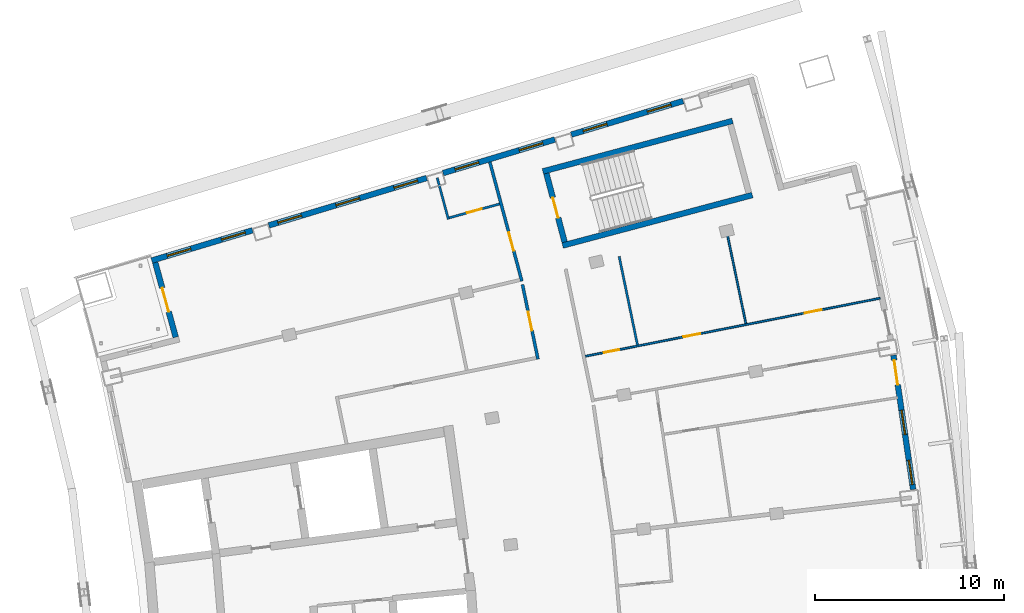
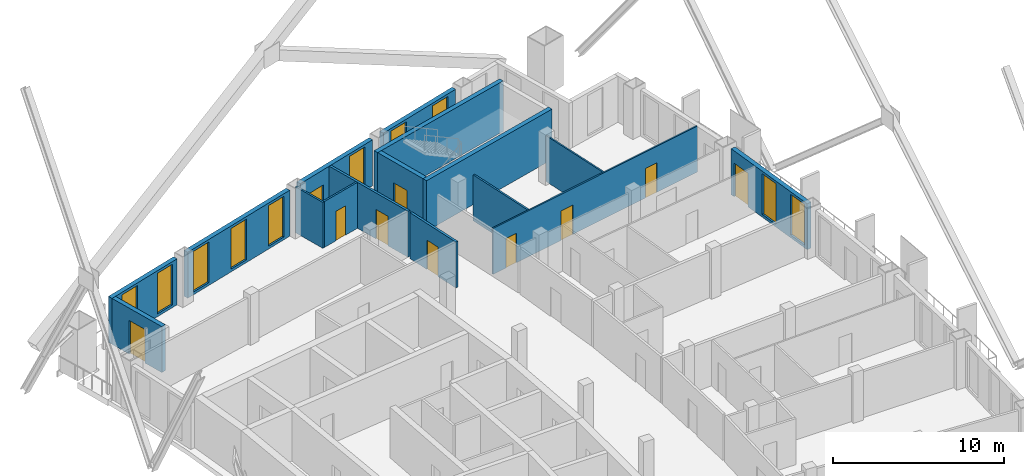
# One storey, part 13 of 16: 16 walls, 11 windows, 9 doors, 20 openings.
"""IFC4 building model written with IfcOpenShell, lengths in metres."""

from ifc_helpers import new_model, si_unit, direction, frame, frame_2d, origin, place, context, subcontext, project, spatial, rectangle, extrude, material, layer, layer_set, type_object, element, fill, save


model = new_model("IFC4")

# Units and contexts
model_context = context("Model", 3, precision=1e-05, world=origin(), true_north=direction((0.0, 1.0)))
body_context = subcontext(model_context, "Body", "Model", "MODEL_VIEW")
ifc_project = project(units=[si_unit("LENGTHUNIT", "METRE"), si_unit("AREAUNIT", "SQUARE_METRE"), si_unit("VOLUMEUNIT", "CUBIC_METRE"), si_unit("PLANEANGLEUNIT", "RADIAN"), si_unit("MASSUNIT", "GRAM", prefix="KILO")], contexts=[model_context])

# Site, building, storey
site_placement = place(None, origin())
site = spatial("IfcSite", under=ifc_project, at=site_placement, CompositionType="ELEMENT")
building_placement = place(site_placement, origin())
building = spatial("IfcBuilding", under=site, at=building_placement, Name="Alderwake Tower", CompositionType="ELEMENT")
storey_placement = place(building_placement, frame((0.0, 0.0, 245.60009765625)))
storey = spatial("IfcBuildingStorey", under=building, at=storey_placement, Name="L60", CompositionType="ELEMENT", Elevation=245.60009765625)

# Walls
ifc_material_1 = material(Name="Concrete C70/85", Category="concrete")
ifc_layer_1 = layer(ifc_material_1, 0.300048828125)
ifc_layer_set_1 = layer_set([ifc_layer_1], Name="Core wall stair enclosure 300 C70-85")
wall_type_1 = type_object("IfcWallType", Name="Core wall stair enclosure 300 C70-85", PredefinedType="SHEAR", material=ifc_layer_set_1)
for number, where, z_axis, x_axis, name in (
    (1, (36.71142578125, 94.182373046875, 0.0), (0.0, 0.0, 1.0), (0.966309214305, 0.257383958996, 0.0), "Core wall CW.082"),
    (2, (37.75390625, 90.268798828125, 0.0), (0.0, 0.0, 1.0), (0.966309214305, 0.257383958996, 0.0), "Core wall CW.084"),
):
    element("IfcWall", number, at=place(storey_placement, frame(where, z_axis=z_axis, x_axis=x_axis)), inside=storey, type_object=wall_type_1, Name=name, PredefinedType="SHEAR", context=body_context, shape_type="SweptSolid", body=[
        extrude(rectangle(XDim=10.360107421875, YDim=0.300048828125, at=frame_2d((5.18017578125, 0.0))), origin(), (0.0, 0.0, 1.0), 3.599853515625),
    ])

# Wall, opening, door
wall_1_placement = place(storey_placement, frame((37.8603515625, 90.452392578125, 0.0), z_axis=(0.0, 0.0, 1.0), x_axis=(-0.257411420208, 0.966301899381, 0.0)))
wall_1 = element("IfcWall", 3, at=wall_1_placement, inside=storey, type_object=wall_type_1, Name="Core wall CW.083", PredefinedType="SHEAR", context=body_context, shape_type="SweptSolid", body=[
    extrude(rectangle(XDim=3.750244140625, YDim=0.300048828125, at=frame_2d((1.875, 0.0))), origin(), (0.0, 0.0, 1.0), 3.599853515625),
])
opening_1_placement = place(wall_1_placement, frame((1.324951171875, 0.0, 0.0)))
opening_1 = element("IfcOpeningElement", 4, at=opening_1_placement, cuts=wall_1, Name="Opening C062", PredefinedType="OPENING", context=body_context, shape_type="SweptSolid", body=[
    extrude(rectangle(XDim=1.10009765625, YDim=2.10009765625, at=frame_2d((0.550048828125, 1.050048828125))), frame((0.0, 0.159912109375, 0.0), z_axis=(0.0, -1.0, 0.0), x_axis=(1.0, 0.0, 0.0)), (0.0, 0.0, 1.0), 0.320068359375),
])
ifc_material_2 = material(Name="Steel-framed fire door leaf", Category="steel")
door_type_1 = type_object("IfcDoorType", Name="Core stair door 1100 fire-rated", OperationType="SINGLE_SWING_LEFT", PredefinedType="DOOR", material=ifc_material_2)
door_1_placement = place(opening_1_placement, origin())
door_1 = element("IfcDoor", 5, at=door_1_placement, inside=storey, type_object=door_type_1, Name="Stair door", OperationType="SINGLE_SWING_RIGHT", OverallHeight=2.10009765625, OverallWidth=1.10009765625, PredefinedType="DOOR", context=body_context, shape_type="SweptSolid", body=[
    extrude(rectangle(XDim=1.10009765625, YDim=2.10009765625, at=frame_2d((0.550048828125, 1.050048828125))), frame((0.0, 0.02490234375, 0.0), z_axis=(0.0, -1.0, 0.0), x_axis=(1.0, 0.0, 0.0)), (0.0, 0.0, 1.0), 0.050048828125),
])
fill(opening_1, door_1)

ifc_material_3 = material(Name="Gypsum board on metal studs, rated")
ifc_layer_2 = layer(ifc_material_3, 0.159912109375)
ifc_layer_set_2 = layer_set([ifc_layer_2], Name="Corridor wall 160")
wall_type_2 = type_object("IfcWallType", Name="Corridor wall 160", PredefinedType="PARTITIONING", material=ifc_layer_set_2)
wall_2_placement = place(storey_placement, frame((35.600830078125, 88.392578125, 0.0), z_axis=(0.0, 0.0, 1.0), x_axis=(-0.259509260101, 0.965740619381, 0.0)))
wall_2 = element("IfcWall", 6, at=wall_2_placement, inside=storey, type_object=wall_type_2, Name="WL/L60/W12", PredefinedType="PARTITIONING", context=body_context, shape_type="SweptSolid", body=[
    extrude(rectangle(XDim=6.50732421875, YDim=0.159912109375, at=frame_2d((3.253662109375, 0.0))), origin(), (0.0, 0.0, 1.0), 3.27978515625),
])
opening_2_placement = place(wall_2_placement, frame((1.65771484375, 0.0, 0.0)))
opening_2 = element("IfcOpeningElement", 7, at=opening_2_placement, cuts=wall_2, Name="Opening R17-U09.1", PredefinedType="OPENING", context=body_context, shape_type="SweptSolid", body=[
    extrude(rectangle(XDim=1.0, YDim=2.10009765625, at=frame_2d((0.5, 1.050048828125))), frame((0.0, 0.08984375, 0.0), z_axis=(0.0, -1.0, 0.0), x_axis=(1.0, 0.0, 0.0)), (0.0, 0.0, 1.0), 0.179931640625),
])
ifc_material_4 = material(Name="Solid timber leaf in steel frame", Category="steel")
door_type_2 = type_object("IfcDoorType", Name="Flat entrance door 1000 fire-rated", OperationType="SINGLE_SWING_LEFT", PredefinedType="DOOR", material=ifc_material_4)
door_2_placement = place(opening_2_placement, origin())
door_2 = element("IfcDoor", 8, at=door_2_placement, inside=storey, type_object=door_type_2, Name="DR/L60/U09.1", OperationType="SINGLE_SWING_LEFT", OverallHeight=2.10009765625, OverallWidth=1.0, PredefinedType="DOOR", context=body_context, shape_type="SweptSolid", body=[
    extrude(rectangle(XDim=1.0, YDim=2.10009765625, at=frame_2d((0.5, 1.050048828125))), frame((0.0, 0.02490234375, 0.0), z_axis=(0.0, -1.0, 0.0), x_axis=(1.0, 0.0, 0.0)), (0.0, 0.0, 1.0), 0.050048828125),
])
fill(opening_2, door_2)

wall_3_placement = place(storey_placement, frame((36.451416015625, 84.272705078125, 0.0), z_axis=(0.0, 0.0, 1.0), x_axis=(-0.203258199701, 0.979125172924, 0.0)))
wall_3 = element("IfcWall", 9, at=wall_3_placement, inside=storey, type_object=wall_type_2, Name="WL/L60/W15", PredefinedType="PARTITIONING", context=body_context, shape_type="SweptSolid", body=[
    extrude(rectangle(XDim=4.020263671875, YDim=0.159912109375, at=frame_2d((2.01025390625, 0.0))), origin(), (0.0, 0.0, 1.0), 3.27978515625),
])
opening_3_placement = place(wall_3_placement, frame((1.549560546875, 0.0, 0.0)))
opening_3 = element("IfcOpeningElement", 10, at=opening_3_placement, cuts=wall_3, Name="Opening R17-SBN2", PredefinedType="OPENING", context=body_context, shape_type="SweptSolid", body=[
    extrude(rectangle(XDim=1.0, YDim=2.10009765625, at=frame_2d((0.5, 1.050048828125))), frame((0.0, 0.08984375, 0.0), z_axis=(0.0, -1.0, 0.0), x_axis=(1.0, 0.0, 0.0)), (0.0, 0.0, 1.0), 0.179931640625),
])
ifc_material_5 = material(Name="Steel-framed fire door leaf", Category="steel")
door_type_3 = type_object("IfcDoorType", Name="Plant room door 1000 fire-rated", OperationType="SINGLE_SWING_LEFT", PredefinedType="DOOR", material=ifc_material_5)
door_3_placement = place(opening_3_placement, origin())
door_3 = element("IfcDoor", 11, at=door_3_placement, inside=storey, type_object=door_type_3, Name="DR/L60/SBN2", OperationType="SINGLE_SWING_LEFT", OverallHeight=2.10009765625, OverallWidth=1.0, PredefinedType="DOOR", context=body_context, shape_type="SweptSolid", body=[
    extrude(rectangle(XDim=1.0, YDim=2.10009765625, at=frame_2d((0.5, 1.050048828125))), frame((0.0, 0.02490234375, 0.0), z_axis=(0.0, -1.0, 0.0), x_axis=(1.0, 0.0, 0.0)), (0.0, 0.0, 1.0), 0.050048828125),
])
fill(opening_3, door_3)

# Wall, openings, door, windows
ifc_material_6 = material(Name="Precast concrete C50/60 spandrel panel", Category="concrete")
ifc_layer_3 = layer(ifc_material_6, 0.300048828125)
ifc_layer_set_3 = layer_set([ifc_layer_3], Name="External wall EW1 Precast concrete C50/60 spandrel")
wall_type_3 = type_object("IfcWallType", Name="External wall EW1 Precast concrete C50/60 spandrel", PredefinedType="SOLIDWALL", material=ifc_layer_set_3)
wall_4_placement = place(storey_placement, frame((56.255615234375, 77.393310546875, 0.0), z_axis=(0.0, 0.0, 1.0), x_axis=(-0.145324203969, 0.989384089088, 0.0)))
wall_4 = element("IfcWall", 12, at=wall_4_placement, inside=storey, type_object=wall_type_3, Name="External wall 18", PredefinedType="SOLIDWALL", context=body_context, shape_type="SweptSolid", body=[
    extrude(rectangle(XDim=7.16162109375, YDim=0.300048828125, at=frame_2d((3.580810546875, 0.0))), origin(), (0.0, 0.0, 1.0), 3.27978515625),
])
opening_4_placement = place(wall_4_placement, frame((0.267333984375, 0.0, 0.199951171875)))
opening_4 = element("IfcOpeningElement", 13, at=opening_4_placement, cuts=wall_4, Name="Opening W1", PredefinedType="OPENING", context=body_context, shape_type="SweptSolid", body=[
    extrude(rectangle(XDim=1.300048828125, YDim=2.89990234375, at=frame_2d((0.64990234375, 1.449951171875))), frame((0.0, 0.159912109375, 0.0), z_axis=(0.0, -1.0, 0.0), x_axis=(1.0, 0.0, 0.0)), (0.0, 0.0, 1.0), 0.320068359375),
])
opening_5_placement = place(wall_4_placement, frame((2.930908203125, 0.0, 0.199951171875)))
opening_5 = element("IfcOpeningElement", 14, at=opening_5_placement, cuts=wall_4, Name="Opening W1", PredefinedType="OPENING", context=body_context, shape_type="SweptSolid", body=[
    extrude(rectangle(XDim=1.300048828125, YDim=2.89990234375, at=frame_2d((0.64990234375, 1.449951171875))), frame((0.0, 0.159912109375, 0.0), z_axis=(0.0, -1.0, 0.0), x_axis=(1.0, 0.0, 0.0)), (0.0, 0.0, 1.0), 0.320068359375),
])
opening_6_placement = place(wall_4_placement, frame((5.594482421875, 0.0, 0.0)))
opening_6 = element("IfcOpeningElement", 15, at=opening_6_placement, cuts=wall_4, Name="Opening D07", PredefinedType="OPENING", context=body_context, shape_type="SweptSolid", body=[
    extrude(rectangle(XDim=1.300048828125, YDim=2.39990234375, at=frame_2d((0.64990234375, 1.199951171875))), frame((0.0, 0.159912109375, 0.0), z_axis=(0.0, -1.0, 0.0), x_axis=(1.0, 0.0, 0.0)), (0.0, 0.0, 1.0), 0.320068359375),
])
ifc_material_7 = material(Name="Bronze tinted glass in aluminium frame", Category="aluminium")
door_type_4 = type_object("IfcDoorType", Name="Balcony door BD sliding", OperationType="SLIDING_TO_LEFT", PredefinedType="DOOR", material=ifc_material_7)
door_4_placement = place(opening_6_placement, origin())
door_4 = element("IfcDoor", 16, at=door_4_placement, inside=storey, type_object=door_type_4, Name="Door D07", OperationType="SLIDING_TO_LEFT", OverallHeight=2.39990234375, OverallWidth=1.300048828125, PredefinedType="DOOR", context=body_context, shape_type="SweptSolid", body=[
    extrude(rectangle(XDim=1.300048828125, YDim=2.39990234375, at=frame_2d((0.64990234375, 1.199951171875))), frame((0.0, 0.02490234375, 0.0), z_axis=(0.0, -1.0, 0.0), x_axis=(1.0, 0.0, 0.0)), (0.0, 0.0, 1.0), 0.050048828125),
])
fill(opening_6, door_4)
ifc_material_8 = material(Name="Bronze tinted glass in aluminium frame", Category="aluminium")
window_type_1 = type_object("IfcWindowType", Name="Window W1 tall fixed and vent", PartitioningType="DOUBLE_PANEL_VERTICAL", PredefinedType="WINDOW", material=ifc_material_8)
window_1_placement = place(opening_4_placement, origin())
window_1 = element("IfcWindow", 17, at=window_1_placement, inside=storey, type_object=window_type_1, Name="Window W1 tall fixed and vent", OverallHeight=2.89990234375, OverallWidth=1.300048828125, PartitioningType="DOUBLE_PANEL_VERTICAL", PredefinedType="WINDOW", context=body_context, shape_type="SweptSolid", body=[
    extrude(rectangle(XDim=1.300048828125, YDim=2.89990234375, at=frame_2d((0.64990234375, 1.449951171875))), frame((0.0, 0.030029296875, 0.0), z_axis=(0.0, -1.0, 0.0), x_axis=(1.0, 0.0, 0.0)), (0.0, 0.0, 1.0), 0.06005859375),
])
fill(opening_4, window_1)
window_2_placement = place(opening_5_placement, origin())
window_2 = element("IfcWindow", 18, at=window_2_placement, inside=storey, type_object=window_type_1, Name="Window W1 tall fixed and vent", OverallHeight=2.89990234375, OverallWidth=1.300048828125, PartitioningType="DOUBLE_PANEL_VERTICAL", PredefinedType="WINDOW", context=body_context, shape_type="SweptSolid", body=[
    extrude(rectangle(XDim=1.300048828125, YDim=2.89990234375, at=frame_2d((0.64990234375, 1.449951171875))), frame((0.0, 0.030029296875, 0.0), z_axis=(0.0, -1.0, 0.0), x_axis=(1.0, 0.0, 0.0)), (0.0, 0.0, 1.0), 0.06005859375),
])
fill(opening_5, window_2)

# Wall, openings, windows
ifc_material_9 = material(Name="Bronze metal cladding on lightweight framing")
ifc_layer_4 = layer(ifc_material_9, 0.300048828125)
ifc_layer_set_4 = layer_set([ifc_layer_4], Name="External wall EW2 bronze metal cladding")
wall_type_4 = type_object("IfcWallType", Name="External wall EW2 bronze metal cladding", PredefinedType="SOLIDWALL", material=ifc_layer_set_4)
wall_5_placement = place(storey_placement, frame((44.112548828125, 97.896728515625, 0.0), z_axis=(0.0, 0.0, 1.0), x_axis=(-0.957768483821, -0.28754048654, 0.0)))
wall_5 = element("IfcWall", 19, at=wall_5_placement, inside=storey, type_object=wall_type_4, Name="External wall 24", PredefinedType="SOLIDWALL", context=body_context, shape_type="SweptSolid", body=[
    extrude(rectangle(XDim=6.163330078125, YDim=0.300048828125, at=frame_2d((3.08154296875, 0.0))), origin(), (0.0, 0.0, 1.0), 3.27978515625),
])
opening_7_placement = place(wall_5_placement, frame((0.6650390625, 0.0, 0.199951171875)))
opening_7 = element("IfcOpeningElement", 20, at=opening_7_placement, cuts=wall_5, Name="Opening W1", PredefinedType="OPENING", context=body_context, shape_type="SweptSolid", body=[
    extrude(rectangle(XDim=1.300048828125, YDim=2.89990234375, at=frame_2d((0.64990234375, 1.449951171875))), frame((0.0, 0.159912109375, 0.0), z_axis=(0.0, -1.0, 0.0), x_axis=(1.0, 0.0, 0.0)), (0.0, 0.0, 1.0), 0.320068359375),
])
opening_8_placement = place(wall_5_placement, frame((4.198486328125, 0.0, 0.199951171875)))
opening_8 = element("IfcOpeningElement", 21, at=opening_8_placement, cuts=wall_5, Name="Opening W1", PredefinedType="OPENING", context=body_context, shape_type="SweptSolid", body=[
    extrude(rectangle(XDim=1.300048828125, YDim=2.89990234375, at=frame_2d((0.64990234375, 1.449951171875))), frame((0.0, 0.159912109375, 0.0), z_axis=(0.0, -1.0, 0.0), x_axis=(1.0, 0.0, 0.0)), (0.0, 0.0, 1.0), 0.320068359375),
])
window_3_placement = place(opening_7_placement, origin())
window_3 = element("IfcWindow", 22, at=window_3_placement, inside=storey, type_object=window_type_1, Name="Window W1 tall fixed and vent", OverallHeight=2.89990234375, OverallWidth=1.300048828125, PartitioningType="DOUBLE_PANEL_VERTICAL", PredefinedType="WINDOW", context=body_context, shape_type="SweptSolid", body=[
    extrude(rectangle(XDim=1.300048828125, YDim=2.89990234375, at=frame_2d((0.64990234375, 1.449951171875))), frame((0.0, 0.030029296875, 0.0), z_axis=(0.0, -1.0, 0.0), x_axis=(1.0, 0.0, 0.0)), (0.0, 0.0, 1.0), 0.06005859375),
])
fill(opening_7, window_3)
window_4_placement = place(opening_8_placement, origin())
window_4 = element("IfcWindow", 23, at=window_4_placement, inside=storey, type_object=window_type_1, Name="Window W1 tall fixed and vent", OverallHeight=2.89990234375, OverallWidth=1.300048828125, PartitioningType="DOUBLE_PANEL_VERTICAL", PredefinedType="WINDOW", context=body_context, shape_type="SweptSolid", body=[
    extrude(rectangle(XDim=1.300048828125, YDim=2.89990234375, at=frame_2d((0.64990234375, 1.449951171875))), frame((0.0, 0.030029296875, 0.0), z_axis=(0.0, -1.0, 0.0), x_axis=(1.0, 0.0, 0.0)), (0.0, 0.0, 1.0), 0.06005859375),
])
fill(opening_8, window_4)

wall_6_placement = place(storey_placement, frame((37.34423828125, 95.86474609375, 0.0), z_axis=(0.0, 0.0, 1.0), x_axis=(-0.957757574336, -0.287576822436, 0.0)))
wall_6 = element("IfcWall", 24, at=wall_6_placement, inside=storey, type_object=wall_type_4, Name="External wall 25", PredefinedType="SOLIDWALL", context=body_context, shape_type="SweptSolid", body=[
    extrude(rectangle(XDim=6.163330078125, YDim=0.300048828125, at=frame_2d((3.08154296875, 0.0))), origin(), (0.0, 0.0, 1.0), 3.27978515625),
])
opening_9_placement = place(wall_6_placement, frame((0.6650390625, 0.0, 0.199951171875)))
opening_9 = element("IfcOpeningElement", 25, at=opening_9_placement, cuts=wall_6, Name="Opening W1", PredefinedType="OPENING", context=body_context, shape_type="SweptSolid", body=[
    extrude(rectangle(XDim=1.300048828125, YDim=2.89990234375, at=frame_2d((0.64990234375, 1.449951171875))), frame((0.0, 0.159912109375, 0.0), z_axis=(0.0, -1.0, 0.0), x_axis=(1.0, 0.0, 0.0)), (0.0, 0.0, 1.0), 0.320068359375),
])
opening_10_placement = place(wall_6_placement, frame((4.198486328125, 0.0, 1.0)))
opening_10 = element("IfcOpeningElement", 26, at=opening_10_placement, cuts=wall_6, Name="Opening W2", PredefinedType="OPENING", context=body_context, shape_type="SweptSolid", body=[
    extrude(rectangle(XDim=1.300048828125, YDim=1.199951171875, at=frame_2d((0.64990234375, 0.60009765625))), frame((0.0, 0.159912109375, 0.0), z_axis=(0.0, -1.0, 0.0), x_axis=(1.0, 0.0, 0.0)), (0.0, 0.0, 1.0), 0.320068359375),
])
window_5_placement = place(opening_9_placement, origin())
window_5 = element("IfcWindow", 27, at=window_5_placement, inside=storey, type_object=window_type_1, Name="Window W1 tall fixed and vent", OverallHeight=2.89990234375, OverallWidth=1.300048828125, PartitioningType="DOUBLE_PANEL_VERTICAL", PredefinedType="WINDOW", context=body_context, shape_type="SweptSolid", body=[
    extrude(rectangle(XDim=1.300048828125, YDim=2.89990234375, at=frame_2d((0.64990234375, 1.449951171875))), frame((0.0, 0.030029296875, 0.0), z_axis=(0.0, -1.0, 0.0), x_axis=(1.0, 0.0, 0.0)), (0.0, 0.0, 1.0), 0.06005859375),
])
fill(opening_9, window_5)
ifc_material_10 = material(Name="Bronze tinted glass in aluminium frame", Category="aluminium")
window_type_2 = type_object("IfcWindowType", Name="Window W2 kitchen and bath", PartitioningType="SINGLE_PANEL", PredefinedType="WINDOW", material=ifc_material_10)
window_6_placement = place(opening_10_placement, origin())
window_6 = element("IfcWindow", 28, at=window_6_placement, inside=storey, type_object=window_type_2, Name="Window W2 kitchen and bath", OverallHeight=1.199951171875, OverallWidth=1.300048828125, PartitioningType="SINGLE_PANEL", PredefinedType="WINDOW", context=body_context, shape_type="SweptSolid", body=[
    extrude(rectangle(XDim=1.300048828125, YDim=1.199951171875, at=frame_2d((0.64990234375, 0.60009765625))), frame((0.0, 0.030029296875, 0.0), z_axis=(0.0, -1.0, 0.0), x_axis=(1.0, 0.0, 0.0)), (0.0, 0.0, 1.0), 0.06005859375),
])
fill(opening_10, window_6)

wall_7_placement = place(storey_placement, frame((30.57568359375, 93.83251953125, 0.0), z_axis=(0.0, 0.0, 1.0), x_axis=(-0.957762902908, -0.287559075345, 0.0)))
wall_7 = element("IfcWall", 29, at=wall_7_placement, inside=storey, type_object=wall_type_4, Name="External wall 26", PredefinedType="SOLIDWALL", context=body_context, shape_type="SweptSolid", body=[
    extrude(rectangle(XDim=8.696533203125, YDim=0.300048828125, at=frame_2d((4.34814453125, 0.0))), origin(), (0.0, 0.0, 1.0), 3.27978515625),
])
opening_11_placement = place(wall_7_placement, frame((0.498291015625, 0.0, 0.199951171875)))
opening_11 = element("IfcOpeningElement", 30, at=opening_11_placement, cuts=wall_7, Name="Opening W1", PredefinedType="OPENING", context=body_context, shape_type="SweptSolid", body=[
    extrude(rectangle(XDim=1.300048828125, YDim=2.89990234375, at=frame_2d((0.64990234375, 1.449951171875))), frame((0.0, 0.159912109375, 0.0), z_axis=(0.0, -1.0, 0.0), x_axis=(1.0, 0.0, 0.0)), (0.0, 0.0, 1.0), 0.320068359375),
])
opening_12_placement = place(wall_7_placement, frame((3.6982421875, 0.0, 0.199951171875)))
opening_12 = element("IfcOpeningElement", 31, at=opening_12_placement, cuts=wall_7, Name="Opening W1", PredefinedType="OPENING", context=body_context, shape_type="SweptSolid", body=[
    extrude(rectangle(XDim=1.300048828125, YDim=2.89990234375, at=frame_2d((0.64990234375, 1.449951171875))), frame((0.0, 0.159912109375, 0.0), z_axis=(0.0, -1.0, 0.0), x_axis=(1.0, 0.0, 0.0)), (0.0, 0.0, 1.0), 0.320068359375),
])
opening_13_placement = place(wall_7_placement, frame((6.898193359375, 0.0, 0.199951171875)))
opening_13 = element("IfcOpeningElement", 32, at=opening_13_placement, cuts=wall_7, Name="Opening W1", PredefinedType="OPENING", context=body_context, shape_type="SweptSolid", body=[
    extrude(rectangle(XDim=1.300048828125, YDim=2.89990234375, at=frame_2d((0.64990234375, 1.449951171875))), frame((0.0, 0.159912109375, 0.0), z_axis=(0.0, -1.0, 0.0), x_axis=(1.0, 0.0, 0.0)), (0.0, 0.0, 1.0), 0.320068359375),
])
window_7_placement = place(opening_11_placement, origin())
window_7 = element("IfcWindow", 33, at=window_7_placement, inside=storey, type_object=window_type_1, Name="Window W1 tall fixed and vent", OverallHeight=2.89990234375, OverallWidth=1.300048828125, PartitioningType="DOUBLE_PANEL_VERTICAL", PredefinedType="WINDOW", context=body_context, shape_type="SweptSolid", body=[
    extrude(rectangle(XDim=1.300048828125, YDim=2.89990234375, at=frame_2d((0.64990234375, 1.449951171875))), frame((0.0, 0.030029296875, 0.0), z_axis=(0.0, -1.0, 0.0), x_axis=(1.0, 0.0, 0.0)), (0.0, 0.0, 1.0), 0.06005859375),
])
fill(opening_11, window_7)
window_8_placement = place(opening_12_placement, origin())
window_8 = element("IfcWindow", 34, at=window_8_placement, inside=storey, type_object=window_type_1, Name="Window W1 tall fixed and vent", OverallHeight=2.89990234375, OverallWidth=1.300048828125, PartitioningType="DOUBLE_PANEL_VERTICAL", PredefinedType="WINDOW", context=body_context, shape_type="SweptSolid", body=[
    extrude(rectangle(XDim=1.300048828125, YDim=2.89990234375, at=frame_2d((0.64990234375, 1.449951171875))), frame((0.0, 0.030029296875, 0.0), z_axis=(0.0, -1.0, 0.0), x_axis=(1.0, 0.0, 0.0)), (0.0, 0.0, 1.0), 0.06005859375),
])
fill(opening_12, window_8)
window_9_placement = place(opening_13_placement, origin())
window_9 = element("IfcWindow", 35, at=window_9_placement, inside=storey, type_object=window_type_1, Name="Window W1 tall fixed and vent", OverallHeight=2.89990234375, OverallWidth=1.300048828125, PartitioningType="DOUBLE_PANEL_VERTICAL", PredefinedType="WINDOW", context=body_context, shape_type="SweptSolid", body=[
    extrude(rectangle(XDim=1.300048828125, YDim=2.89990234375, at=frame_2d((0.64990234375, 1.449951171875))), frame((0.0, 0.030029296875, 0.0), z_axis=(0.0, -1.0, 0.0), x_axis=(1.0, 0.0, 0.0)), (0.0, 0.0, 1.0), 0.06005859375),
])
fill(opening_13, window_9)

wall_8_placement = place(storey_placement, frame((21.380859375, 91.072021484375, 0.0), z_axis=(0.0, 0.0, 1.0), x_axis=(-0.957769358194, -0.287537574074, 0.0)))
wall_8 = element("IfcWall", 36, at=wall_8_placement, inside=storey, type_object=wall_type_4, Name="External wall 27", PredefinedType="SOLIDWALL", context=body_context, shape_type="SweptSolid", body=[
    extrude(rectangle(XDim=5.549560546875, YDim=0.300048828125, at=frame_2d((2.77490234375, 0.0))), origin(), (0.0, 0.0, 1.0), 3.27978515625),
])
opening_14_placement = place(wall_8_placement, frame((0.3984375, 0.0, 0.199951171875)))
opening_14 = element("IfcOpeningElement", 37, at=opening_14_placement, cuts=wall_8, Name="Opening W1", PredefinedType="OPENING", context=body_context, shape_type="SweptSolid", body=[
    extrude(rectangle(XDim=1.300048828125, YDim=2.89990234375, at=frame_2d((0.64990234375, 1.449951171875))), frame((0.0, 0.159912109375, 0.0), z_axis=(0.0, -1.0, 0.0), x_axis=(1.0, 0.0, 0.0)), (0.0, 0.0, 1.0), 0.320068359375),
])
opening_15_placement = place(wall_8_placement, frame((3.399169921875, 0.0, 0.199951171875)))
opening_15 = element("IfcOpeningElement", 38, at=opening_15_placement, cuts=wall_8, Name="Opening W1", PredefinedType="OPENING", context=body_context, shape_type="SweptSolid", body=[
    extrude(rectangle(XDim=1.300048828125, YDim=2.89990234375, at=frame_2d((0.64990234375, 1.449951171875))), frame((0.0, 0.159912109375, 0.0), z_axis=(0.0, -1.0, 0.0), x_axis=(1.0, 0.0, 0.0)), (0.0, 0.0, 1.0), 0.320068359375),
])
window_10_placement = place(opening_14_placement, origin())
window_10 = element("IfcWindow", 39, at=window_10_placement, inside=storey, type_object=window_type_1, Name="Window W1 tall fixed and vent", OverallHeight=2.89990234375, OverallWidth=1.300048828125, PartitioningType="DOUBLE_PANEL_VERTICAL", PredefinedType="WINDOW", context=body_context, shape_type="SweptSolid", body=[
    extrude(rectangle(XDim=1.300048828125, YDim=2.89990234375, at=frame_2d((0.64990234375, 1.449951171875))), frame((0.0, 0.030029296875, 0.0), z_axis=(0.0, -1.0, 0.0), x_axis=(1.0, 0.0, 0.0)), (0.0, 0.0, 1.0), 0.06005859375),
])
fill(opening_14, window_10)
window_11_placement = place(opening_15_placement, origin())
window_11 = element("IfcWindow", 40, at=window_11_placement, inside=storey, type_object=window_type_1, Name="Window W1 tall fixed and vent", OverallHeight=2.89990234375, OverallWidth=1.300048828125, PartitioningType="DOUBLE_PANEL_VERTICAL", PredefinedType="WINDOW", context=body_context, shape_type="SweptSolid", body=[
    extrude(rectangle(XDim=1.300048828125, YDim=2.89990234375, at=frame_2d((0.64990234375, 1.449951171875))), frame((0.0, 0.030029296875, 0.0), z_axis=(0.0, -1.0, 0.0), x_axis=(1.0, 0.0, 0.0)), (0.0, 0.0, 1.0), 0.06005859375),
])
fill(opening_15, window_11)

# Wall, opening, door
wall_9_placement = place(storey_placement, frame((16.248779296875, 89.374755859375, 0.0), z_axis=(0.0, 0.0, 1.0), x_axis=(0.264607053468, -0.964356317579, 0.0)))
wall_9 = element("IfcWall", 41, at=wall_9_placement, inside=storey, type_object=wall_type_4, Name="External wall 28", PredefinedType="SOLIDWALL", context=body_context, shape_type="SweptSolid", body=[
    extrude(rectangle(XDim=4.090087890625, YDim=0.300048828125, at=frame_2d((2.044921875, 0.0))), origin(), (0.0, 0.0, 1.0), 3.27978515625),
])
opening_16_placement = place(wall_9_placement, frame((1.39501953125, 0.0, 0.0)))
opening_16 = element("IfcOpeningElement", 42, at=opening_16_placement, cuts=wall_9, Name="Opening D09", PredefinedType="OPENING", context=body_context, shape_type="SweptSolid", body=[
    extrude(rectangle(XDim=1.300048828125, YDim=2.39990234375, at=frame_2d((0.64990234375, 1.199951171875))), frame((0.0, 0.159912109375, 0.0), z_axis=(0.0, -1.0, 0.0), x_axis=(1.0, 0.0, 0.0)), (0.0, 0.0, 1.0), 0.320068359375),
])
door_5_placement = place(opening_16_placement, origin())
door_5 = element("IfcDoor", 43, at=door_5_placement, inside=storey, type_object=door_type_4, Name="Door D09", OperationType="SLIDING_TO_LEFT", OverallHeight=2.39990234375, OverallWidth=1.300048828125, PredefinedType="DOOR", context=body_context, shape_type="SweptSolid", body=[
    extrude(rectangle(XDim=1.300048828125, YDim=2.39990234375, at=frame_2d((0.64990234375, 1.199951171875))), frame((0.0, 0.02490234375, 0.0), z_axis=(0.0, -1.0, 0.0), x_axis=(1.0, 0.0, 0.0)), (0.0, 0.0, 1.0), 0.050048828125),
])
fill(opening_16, door_5)

# Wall, openings, doors
ifc_material_11 = material(Name="Gypsum board on metal studs")
ifc_layer_5 = layer(ifc_material_11, 0.10009765625)
ifc_layer_set_5 = layer_set([ifc_layer_5], Name="Unit partition 100")
wall_type_5 = type_object("IfcWallType", Name="Unit partition 100", PredefinedType="PARTITIONING", material=ifc_layer_set_5)
wall_10_placement = place(storey_placement, frame((38.949462890625, 84.423583984375, 0.0), z_axis=(0.0, 0.0, 1.0), x_axis=(0.981149511114, 0.193250192344, 0.0)))
wall_10 = element("IfcWall", 44, at=wall_10_placement, inside=storey, type_object=wall_type_5, Name="WL/L60/W44", PredefinedType="PARTITIONING", context=body_context, shape_type="SweptSolid", body=[
    extrude(rectangle(XDim=15.862548828125, YDim=0.10009765625, at=frame_2d((7.93115234375, 0.0))), origin(), (0.0, 0.0, 1.0), 3.27978515625),
])
opening_17_placement = place(wall_10_placement, frame((5.2841796875, 0.0, 0.0)))
opening_17 = element("IfcOpeningElement", 45, at=opening_17_placement, cuts=wall_10, Name="Opening R17-U07.5", PredefinedType="OPENING", context=body_context, shape_type="SweptSolid", body=[
    extrude(rectangle(XDim=0.89990234375, YDim=2.10009765625, at=frame_2d((0.449951171875, 1.050048828125))), frame((0.0, 0.06005859375, 0.0), z_axis=(0.0, -1.0, 0.0), x_axis=(1.0, 0.0, 0.0)), (0.0, 0.0, 1.0), 0.1201171875),
])
opening_18_placement = place(wall_10_placement, frame((1.009521484375, 0.0, 0.0)))
opening_18 = element("IfcOpeningElement", 46, at=opening_18_placement, cuts=wall_10, Name="Opening R17-U07.6", PredefinedType="OPENING", context=body_context, shape_type="SweptSolid", body=[
    extrude(rectangle(XDim=0.800048828125, YDim=2.10009765625, at=frame_2d((0.39990234375, 1.050048828125))), frame((0.0, 0.06005859375, 0.0), z_axis=(0.0, -1.0, 0.0), x_axis=(1.0, 0.0, 0.0)), (0.0, 0.0, 1.0), 0.1201171875),
])
opening_19_placement = place(wall_10_placement, frame((11.805908203125, 0.0, 0.0)))
opening_19 = element("IfcOpeningElement", 47, at=opening_19_placement, cuts=wall_10, Name="Opening R17-U07.7", PredefinedType="OPENING", context=body_context, shape_type="SweptSolid", body=[
    extrude(rectangle(XDim=0.89990234375, YDim=2.10009765625, at=frame_2d((0.449951171875, 1.050048828125))), frame((0.0, 0.06005859375, 0.0), z_axis=(0.0, -1.0, 0.0), x_axis=(1.0, 0.0, 0.0)), (0.0, 0.0, 1.0), 0.1201171875),
])
ifc_material_12 = material(Name="Painted timber leaf", Category="wood")
door_type_5 = type_object("IfcDoorType", Name="Bathroom door 800", OperationType="SINGLE_SWING_LEFT", PredefinedType="DOOR", material=ifc_material_12)
door_6_placement = place(opening_18_placement, origin())
door_6 = element("IfcDoor", 48, at=door_6_placement, inside=storey, type_object=door_type_5, Name="DR/L60/U07.6", OperationType="SINGLE_SWING_LEFT", OverallHeight=2.10009765625, OverallWidth=0.800048828125, PredefinedType="DOOR", context=body_context, shape_type="SweptSolid", body=[
    extrude(rectangle(XDim=0.800048828125, YDim=2.10009765625, at=frame_2d((0.39990234375, 1.050048828125))), frame((0.0, 0.02490234375, 0.0), z_axis=(0.0, -1.0, 0.0), x_axis=(1.0, 0.0, 0.0)), (0.0, 0.0, 1.0), 0.050048828125),
])
fill(opening_18, door_6)
ifc_material_13 = material(Name="Painted timber leaf", Category="wood")
door_type_6 = type_object("IfcDoorType", Name="Room door 900", OperationType="SINGLE_SWING_LEFT", PredefinedType="DOOR", material=ifc_material_13)
door_7_placement = place(opening_17_placement, origin())
door_7 = element("IfcDoor", 49, at=door_7_placement, inside=storey, type_object=door_type_6, Name="DR/L60/U07.5", OperationType="SINGLE_SWING_LEFT", OverallHeight=2.10009765625, OverallWidth=0.89990234375, PredefinedType="DOOR", context=body_context, shape_type="SweptSolid", body=[
    extrude(rectangle(XDim=0.89990234375, YDim=2.10009765625, at=frame_2d((0.449951171875, 1.050048828125))), frame((0.0, 0.02490234375, 0.0), z_axis=(0.0, -1.0, 0.0), x_axis=(1.0, 0.0, 0.0)), (0.0, 0.0, 1.0), 0.050048828125),
])
fill(opening_17, door_7)
door_8_placement = place(opening_19_placement, origin())
door_8 = element("IfcDoor", 50, at=door_8_placement, inside=storey, type_object=door_type_6, Name="DR/L60/U07.7", OperationType="SINGLE_SWING_LEFT", OverallHeight=2.10009765625, OverallWidth=0.89990234375, PredefinedType="DOOR", context=body_context, shape_type="SweptSolid", body=[
    extrude(rectangle(XDim=0.89990234375, YDim=2.10009765625, at=frame_2d((0.449951171875, 1.050048828125))), frame((0.0, 0.02490234375, 0.0), z_axis=(0.0, -1.0, 0.0), x_axis=(1.0, 0.0, 0.0)), (0.0, 0.0, 1.0), 0.050048828125),
])
fill(opening_19, door_8)

# Walls
wall_11_placement = place(storey_placement, frame((47.42578125, 86.14599609375, 0.0), z_axis=(0.0, 0.0, 1.0), x_axis=(-0.203084909965, 0.97916113043, 0.0)))
element("IfcWall", 51, at=wall_11_placement, inside=storey, type_object=wall_type_5, Name="WL/L60/W52", PredefinedType="PARTITIONING", context=body_context, shape_type="SweptSolid", body=[
    extrude(rectangle(XDim=5.002197265625, YDim=0.10009765625, at=frame_2d((2.5009765625, 0.0))), origin(), (0.0, 0.0, 1.0), 3.27978515625),
])
ifc_material_14 = material(Name="Moisture resistant gypsum board on metal studs")
ifc_layer_6 = layer(ifc_material_14, 0.1201171875)
ifc_layer_set_6 = layer_set([ifc_layer_6], Name="Wet room partition 120")
wall_type_6 = type_object("IfcWallType", Name="Wet room partition 120", PredefinedType="PARTITIONING", material=ifc_layer_set_6)
wall_12_placement = place(storey_placement, frame((31.134033203125, 93.843017578125, 0.0), z_axis=(0.0, 0.0, 1.0), x_axis=(0.260139854323, -0.965570948296, 0.0)))
element("IfcWall", 52, at=wall_12_placement, inside=storey, type_object=wall_type_6, Name="WL/L60/W28", PredefinedType="PARTITIONING", context=body_context, shape_type="SweptSolid", body=[
    extrude(rectangle(XDim=2.2626953125, YDim=0.1201171875, at=frame_2d((1.13134765625, 0.0))), origin(), (0.0, 0.0, 1.0), 3.27978515625),
])

# Wall, opening, door
wall_13_placement = place(storey_placement, frame((31.764892578125, 91.73193359375, 0.0), z_axis=(0.0, 0.0, 1.0), x_axis=(0.964278304966, 0.264891205163, 0.0)))
wall_13 = element("IfcWall", 53, at=wall_13_placement, inside=storey, type_object=wall_type_6, Name="WL/L60/W30", PredefinedType="PARTITIONING", context=body_context, shape_type="SweptSolid", body=[
    extrude(rectangle(XDim=2.759521484375, YDim=0.1201171875, at=frame_2d((1.3798828125, 0.0))), origin(), (0.0, 0.0, 1.0), 3.27978515625),
])
opening_20_placement = place(wall_13_placement, frame((0.979736328125, 0.0, 0.0)))
opening_20 = element("IfcOpeningElement", 54, at=opening_20_placement, cuts=wall_13, Name="Opening R17-U09.2", PredefinedType="OPENING", context=body_context, shape_type="SweptSolid", body=[
    extrude(rectangle(XDim=0.800048828125, YDim=2.10009765625, at=frame_2d((0.39990234375, 1.050048828125))), frame((0.0, 0.070068359375, 0.0), z_axis=(0.0, -1.0, 0.0), x_axis=(1.0, 0.0, 0.0)), (0.0, 0.0, 1.0), 0.14013671875),
])
door_9_placement = place(opening_20_placement, origin())
door_9 = element("IfcDoor", 55, at=door_9_placement, inside=storey, type_object=door_type_5, Name="DR/L60/U09.2", OperationType="SINGLE_SWING_LEFT", OverallHeight=2.10009765625, OverallWidth=0.800048828125, PredefinedType="DOOR", context=body_context, shape_type="SweptSolid", body=[
    extrude(rectangle(XDim=0.800048828125, YDim=2.10009765625, at=frame_2d((0.39990234375, 1.050048828125))), frame((0.0, 0.02490234375, 0.0), z_axis=(0.0, -1.0, 0.0), x_axis=(1.0, 0.0, 0.0)), (0.0, 0.0, 1.0), 0.050048828125),
])
fill(opening_20, door_9)

# Wall
wall_14_placement = place(storey_placement, frame((41.704833984375, 85.01806640625, 0.0), z_axis=(0.0, 0.0, 1.0), x_axis=(-0.202669848328, 0.979247125387, 0.0)))
element("IfcWall", 56, at=wall_14_placement, inside=storey, type_object=wall_type_6, Name="WL/L60/W34", PredefinedType="PARTITIONING", context=body_context, shape_type="SweptSolid", body=[
    extrude(rectangle(XDim=4.775146484375, YDim=0.1201171875, at=frame_2d((2.3876953125, 0.0))), origin(), (0.0, 0.0, 1.0), 3.27978515625),
])

save(model, "model.ifc")
